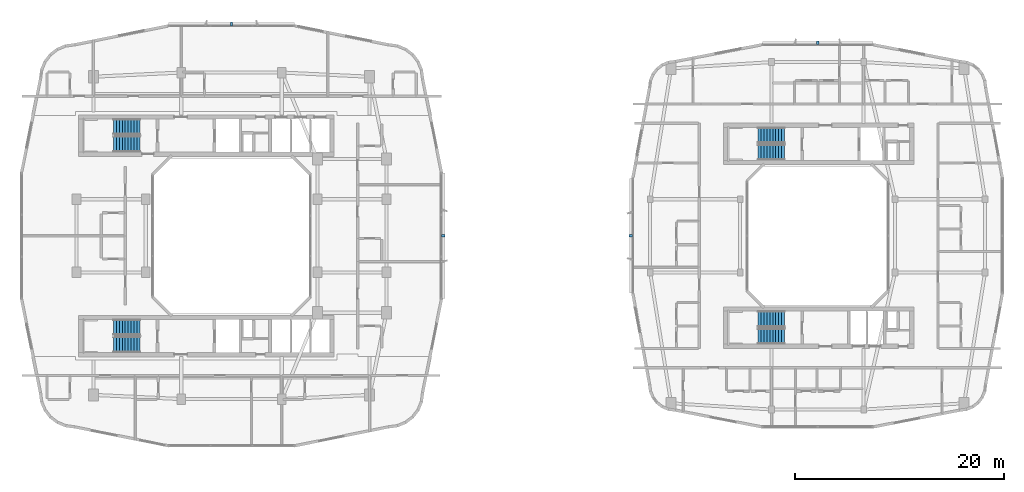
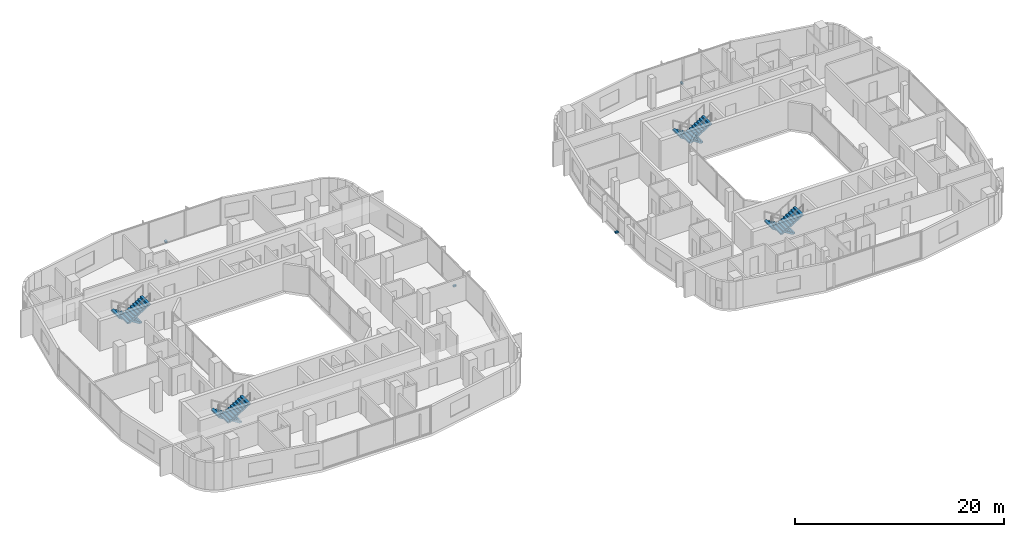
# One storey, part 21 of 26: 8 stair flights, 4 discrete accessories, 4 elements without a shape of their own.
"""IFC4 building model written with IfcOpenShell, lengths in metres."""

from ifc_helpers import new_model, si_unit, derived_unit, direction, frame, origin, origin_2d, place, context, subcontext, project, spatial, polyline, rectangle, outline, extrude, material, type_object, element, aggregate, save


model = new_model("IFC4")

# Units and contexts
model_context = context("Model", 3, precision=1e-05, world=origin(), true_north=direction((0.0, 1.0)))
body_context = subcontext(model_context, "Body", "Model", "MODEL_VIEW")
ifc_project = project(units=[si_unit("LENGTHUNIT", "METRE"), si_unit("AREAUNIT", "SQUARE_METRE"), si_unit("VOLUMEUNIT", "CUBIC_METRE"), si_unit("PLANEANGLEUNIT", "RADIAN"), si_unit("MASSUNIT", "GRAM", prefix="KILO"), derived_unit("THERMALTRANSMITTANCEUNIT", [(si_unit("POWERUNIT", "WATT"), 1), (si_unit("LENGTHUNIT", "METRE"), -2), (si_unit("THERMODYNAMICTEMPERATUREUNIT", "KELVIN"), -1)])], contexts=[model_context])

# Site, building, storey
site_placement = place(None, origin())
site = spatial("IfcSite", under=ifc_project, at=site_placement, CompositionType="ELEMENT")
building_placement = place(site_placement, origin())
building = spatial("IfcBuilding", under=site, at=building_placement, Name="Kivonza Crest Hotel", CompositionType="ELEMENT")
storey_placement = place(building_placement, frame((0.0, 0.0, 116.0)))
storey = spatial("IfcBuildingStorey", under=building, at=storey_placement, Name="L31", CompositionType="ELEMENT", Elevation=116.0)

# Stair, stair flights
ifc_material_1 = material(Name="Concrete C40/50", Category="concrete")
stair_type = type_object("IfcStairType", Name="ST-DL-20R", PredefinedType="HALF_TURN_STAIR", material=ifc_material_1)
stair_1_placement = place(storey_placement, origin())
stair_1 = element("IfcStair", 1, at=stair_1_placement, inside=storey, type_object=stair_type, Name="L31 Protected Exit Stair ST-T1-N", PredefinedType="HALF_TURN_STAIR")
stair_flight_type = type_object("IfcStairFlightType", Name="SFL-RC-10R", PredefinedType="STRAIGHT", material=ifc_material_1)
stair_flight_1_placement = place(storey_placement, frame((12.239990234375, 35.409912109375, 0.0), z_axis=(0.0, 0.0, 1.0), x_axis=(-1.0, 0.0, 0.0)))
stair_flight_1 = element("IfcStairFlight", 2, at=stair_flight_1_placement, type_object=stair_flight_type, Name="ST-T1-N flight 1", NumberOfRisers=10, NumberOfTreads=9, PredefinedType="STRAIGHT", RiserHeight=0.175, TreadLength=0.28, context=body_context, shape_type="SweptSolid", body=[
    extrude(outline(polyline([(0.0, 0.0), (0.0, 0.175048828125), (0.280029296875, 0.175048828125), (0.280029296875, 0.35009765625), (0.56005859375, 0.35009765625), (0.56005859375, 0.52490234375), (0.840087890625, 0.52490234375), (0.840087890625, 0.699951171875), (1.1201171875, 0.699951171875), (1.1201171875, 0.875), (1.39990234375, 0.875), (1.39990234375, 1.050048828125), (1.679931640625, 1.050048828125), (1.679931640625, 1.22509765625), (1.9599609375, 1.22509765625), (1.9599609375, 1.39990234375), (2.239990234375, 1.39990234375), (2.239990234375, 1.574951171875), (2.52001953125, 1.574951171875), (2.52001953125, 1.75), (2.52001953125, 1.398193359375), (0.28271484375, 0.0), (0.0, 0.0)])), frame((0.0, 0.75, 0.0), z_axis=(0.0, -1.0, 0.0), x_axis=(1.0, 0.0, 0.0)), (0.0, 0.0, 1.0), 1.5),
])
stair_flight_2_placement = place(storey_placement, frame((9.719970703125, 33.77001953125, 1.75), z_axis=(0.0, 0.0, 1.0), x_axis=(1.0, 0.0, 0.0)))
stair_flight_2 = element("IfcStairFlight", 3, at=stair_flight_2_placement, type_object=stair_flight_type, Name="ST-T1-N flight 2", NumberOfRisers=10, NumberOfTreads=9, PredefinedType="STRAIGHT", RiserHeight=0.175, TreadLength=0.28, context=body_context, shape_type="SweptSolid", body=[
    extrude(outline(polyline([(0.0, 0.0), (0.0, 0.175048828125), (0.280029296875, 0.175048828125), (0.280029296875, 0.35009765625), (0.56005859375, 0.35009765625), (0.56005859375, 0.52490234375), (0.840087890625, 0.52490234375), (0.840087890625, 0.699951171875), (1.1201171875, 0.699951171875), (1.1201171875, 0.875), (1.39990234375, 0.875), (1.39990234375, 1.050048828125), (1.679931640625, 1.050048828125), (1.679931640625, 1.22509765625), (1.9599609375, 1.22509765625), (1.9599609375, 1.39990234375), (2.239990234375, 1.39990234375), (2.239990234375, 1.574951171875), (2.52001953125, 1.574951171875), (2.52001953125, 1.75), (2.52001953125, 1.398193359375), (0.28271484375, 0.0), (0.0, 0.0)])), frame((0.0, 0.75, 0.0), z_axis=(0.0, -1.0, 0.0), x_axis=(1.0, 0.0, 0.0)), (0.0, 0.0, 1.0), 1.5),
])
aggregate(stair_1, [stair_flight_1, stair_flight_2])

stair_2_placement = place(storey_placement, origin())
stair_2 = element("IfcStair", 4, at=stair_2_placement, inside=storey, type_object=stair_type, Name="L31 Protected Exit Stair ST-T1-S", PredefinedType="HALF_TURN_STAIR")
stair_flight_3_placement = place(storey_placement, frame((12.239990234375, 16.25, 0.0), z_axis=(0.0, 0.0, 1.0), x_axis=(-1.0, 0.0, 0.0)))
stair_flight_3 = element("IfcStairFlight", 5, at=stair_flight_3_placement, type_object=stair_flight_type, Name="ST-T1-S flight 1", NumberOfRisers=10, NumberOfTreads=9, PredefinedType="STRAIGHT", RiserHeight=0.175, TreadLength=0.28, context=body_context, shape_type="SweptSolid", body=[
    extrude(outline(polyline([(0.0, 0.0), (0.0, 0.175048828125), (0.280029296875, 0.175048828125), (0.280029296875, 0.35009765625), (0.56005859375, 0.35009765625), (0.56005859375, 0.52490234375), (0.840087890625, 0.52490234375), (0.840087890625, 0.699951171875), (1.1201171875, 0.699951171875), (1.1201171875, 0.875), (1.39990234375, 0.875), (1.39990234375, 1.050048828125), (1.679931640625, 1.050048828125), (1.679931640625, 1.22509765625), (1.9599609375, 1.22509765625), (1.9599609375, 1.39990234375), (2.239990234375, 1.39990234375), (2.239990234375, 1.574951171875), (2.52001953125, 1.574951171875), (2.52001953125, 1.75), (2.52001953125, 1.398193359375), (0.28271484375, 0.0), (0.0, 0.0)])), frame((0.0, 0.75, 0.0), z_axis=(0.0, -1.0, 0.0), x_axis=(1.0, 0.0, 0.0)), (0.0, 0.0, 1.0), 1.5),
])
stair_flight_4_placement = place(storey_placement, frame((9.719970703125, 14.610107421875, 1.75), z_axis=(0.0, 0.0, 1.0), x_axis=(1.0, 0.0, 0.0)))
stair_flight_4 = element("IfcStairFlight", 6, at=stair_flight_4_placement, type_object=stair_flight_type, Name="ST-T1-S flight 2", NumberOfRisers=10, NumberOfTreads=9, PredefinedType="STRAIGHT", RiserHeight=0.175, TreadLength=0.28, context=body_context, shape_type="SweptSolid", body=[
    extrude(outline(polyline([(0.0, 0.0), (0.0, 0.175048828125), (0.280029296875, 0.175048828125), (0.280029296875, 0.35009765625), (0.56005859375, 0.35009765625), (0.56005859375, 0.52490234375), (0.840087890625, 0.52490234375), (0.840087890625, 0.699951171875), (1.1201171875, 0.699951171875), (1.1201171875, 0.875), (1.39990234375, 0.875), (1.39990234375, 1.050048828125), (1.679931640625, 1.050048828125), (1.679931640625, 1.22509765625), (1.9599609375, 1.22509765625), (1.9599609375, 1.39990234375), (2.239990234375, 1.39990234375), (2.239990234375, 1.574951171875), (2.52001953125, 1.574951171875), (2.52001953125, 1.75), (2.52001953125, 1.398193359375), (0.28271484375, 0.0), (0.0, 0.0)])), frame((0.0, 0.75, 0.0), z_axis=(0.0, -1.0, 0.0), x_axis=(1.0, 0.0, 0.0)), (0.0, 0.0, 1.0), 1.5),
])
aggregate(stair_2, [stair_flight_3, stair_flight_4])

stair_3_placement = place(storey_placement, origin())
stair_3 = element("IfcStair", 7, at=stair_3_placement, inside=storey, type_object=stair_type, Name="L31 Protected Exit Stair ST-T2-N", PredefinedType="HALF_TURN_STAIR")
stair_flight_5_placement = place(storey_placement, frame((73.840087890625, 34.610107421875, 0.0), z_axis=(0.0, 0.0, 1.0), x_axis=(-1.0, 0.0, 0.0)))
stair_flight_5 = element("IfcStairFlight", 8, at=stair_flight_5_placement, type_object=stair_flight_type, Name="ST-T2-N flight 1", NumberOfRisers=10, NumberOfTreads=9, PredefinedType="STRAIGHT", RiserHeight=0.175, TreadLength=0.28, context=body_context, shape_type="SweptSolid", body=[
    extrude(outline(polyline([(0.0, 0.0), (0.0, 0.175048828125), (0.280029296875, 0.175048828125), (0.280029296875, 0.35009765625), (0.56005859375, 0.35009765625), (0.56005859375, 0.52490234375), (0.840087890625, 0.52490234375), (0.840087890625, 0.699951171875), (1.1201171875, 0.699951171875), (1.1201171875, 0.875), (1.39990234375, 0.875), (1.39990234375, 1.050048828125), (1.679931640625, 1.050048828125), (1.679931640625, 1.22509765625), (1.9599609375, 1.22509765625), (1.9599609375, 1.39990234375), (2.239990234375, 1.39990234375), (2.239990234375, 1.574951171875), (2.52001953125, 1.574951171875), (2.52001953125, 1.75), (2.52001953125, 1.398193359375), (0.28271484375, 0.0), (0.0, 0.0)])), frame((0.0, 0.75, 0.0), z_axis=(0.0, -1.0, 0.0), x_axis=(1.0, 0.0, 0.0)), (0.0, 0.0, 1.0), 1.5),
])
stair_flight_6_placement = place(storey_placement, frame((71.320068359375, 32.969970703125, 1.75), z_axis=(0.0, 0.0, 1.0), x_axis=(1.0, 0.0, 0.0)))
stair_flight_6 = element("IfcStairFlight", 9, at=stair_flight_6_placement, type_object=stair_flight_type, Name="ST-T2-N flight 2", NumberOfRisers=10, NumberOfTreads=9, PredefinedType="STRAIGHT", RiserHeight=0.175, TreadLength=0.28, context=body_context, shape_type="SweptSolid", body=[
    extrude(outline(polyline([(0.0, 0.0), (0.0, 0.175048828125), (0.280029296875, 0.175048828125), (0.280029296875, 0.35009765625), (0.56005859375, 0.35009765625), (0.56005859375, 0.52490234375), (0.840087890625, 0.52490234375), (0.840087890625, 0.699951171875), (1.1201171875, 0.699951171875), (1.1201171875, 0.875), (1.39990234375, 0.875), (1.39990234375, 1.050048828125), (1.679931640625, 1.050048828125), (1.679931640625, 1.22509765625), (1.9599609375, 1.22509765625), (1.9599609375, 1.39990234375), (2.239990234375, 1.39990234375), (2.239990234375, 1.574951171875), (2.52001953125, 1.574951171875), (2.52001953125, 1.75), (2.52001953125, 1.398193359375), (0.28271484375, 0.0), (0.0, 0.0)])), frame((0.0, 0.75, 0.0), z_axis=(0.0, -1.0, 0.0), x_axis=(1.0, 0.0, 0.0)), (0.0, 0.0, 1.0), 1.5),
])
aggregate(stair_3, [stair_flight_5, stair_flight_6])

stair_4_placement = place(storey_placement, origin())
stair_4 = element("IfcStair", 10, at=stair_4_placement, inside=storey, type_object=stair_type, Name="L31 Protected Exit Stair ST-T2-S", PredefinedType="HALF_TURN_STAIR")
stair_flight_7_placement = place(storey_placement, frame((73.840087890625, 17.050048828125, 0.0), z_axis=(0.0, 0.0, 1.0), x_axis=(-1.0, 0.0, 0.0)))
stair_flight_7 = element("IfcStairFlight", 11, at=stair_flight_7_placement, type_object=stair_flight_type, Name="ST-T2-S flight 1", NumberOfRisers=10, NumberOfTreads=9, PredefinedType="STRAIGHT", RiserHeight=0.175, TreadLength=0.28, context=body_context, shape_type="SweptSolid", body=[
    extrude(outline(polyline([(0.0, 0.0), (0.0, 0.175048828125), (0.280029296875, 0.175048828125), (0.280029296875, 0.35009765625), (0.56005859375, 0.35009765625), (0.56005859375, 0.52490234375), (0.840087890625, 0.52490234375), (0.840087890625, 0.699951171875), (1.1201171875, 0.699951171875), (1.1201171875, 0.875), (1.39990234375, 0.875), (1.39990234375, 1.050048828125), (1.679931640625, 1.050048828125), (1.679931640625, 1.22509765625), (1.9599609375, 1.22509765625), (1.9599609375, 1.39990234375), (2.239990234375, 1.39990234375), (2.239990234375, 1.574951171875), (2.52001953125, 1.574951171875), (2.52001953125, 1.75), (2.52001953125, 1.398193359375), (0.28271484375, 0.0), (0.0, 0.0)])), frame((0.0, 0.75, 0.0), z_axis=(0.0, -1.0, 0.0), x_axis=(1.0, 0.0, 0.0)), (0.0, 0.0, 1.0), 1.5),
])
stair_flight_8_placement = place(storey_placement, frame((71.320068359375, 15.409912109375, 1.75), z_axis=(0.0, 0.0, 1.0), x_axis=(1.0, 0.0, 0.0)))
stair_flight_8 = element("IfcStairFlight", 12, at=stair_flight_8_placement, type_object=stair_flight_type, Name="ST-T2-S flight 2", NumberOfRisers=10, NumberOfTreads=9, PredefinedType="STRAIGHT", RiserHeight=0.175, TreadLength=0.28, context=body_context, shape_type="SweptSolid", body=[
    extrude(outline(polyline([(0.0, 0.0), (0.0, 0.175048828125), (0.280029296875, 0.175048828125), (0.280029296875, 0.35009765625), (0.56005859375, 0.35009765625), (0.56005859375, 0.52490234375), (0.840087890625, 0.52490234375), (0.840087890625, 0.699951171875), (1.1201171875, 0.699951171875), (1.1201171875, 0.875), (1.39990234375, 0.875), (1.39990234375, 1.050048828125), (1.679931640625, 1.050048828125), (1.679931640625, 1.22509765625), (1.9599609375, 1.22509765625), (1.9599609375, 1.39990234375), (2.239990234375, 1.39990234375), (2.239990234375, 1.574951171875), (2.52001953125, 1.574951171875), (2.52001953125, 1.75), (2.52001953125, 1.398193359375), (0.28271484375, 0.0), (0.0, 0.0)])), frame((0.0, 0.75, 0.0), z_axis=(0.0, -1.0, 0.0), x_axis=(1.0, 0.0, 0.0)), (0.0, 0.0, 1.0), 1.5),
])
aggregate(stair_4, [stair_flight_7, stair_flight_8])

# Discrete accessories
ifc_material_2 = material(Name="Stainless steel 316", Category="steel")
discrete_accessory_type = type_object("IfcDiscreteAccessoryType", Name="AC-BRACKET-240", PredefinedType="BRACKET", material=ifc_material_2)
for number, where, z_axis, x_axis, name in (
    (13, (41.239990234375, 25.0, -0.009765625), (0.0, 0.0, 1.0), (0.0, 1.0, 0.0), "L31 terracotta baguette support bracket CW-T1-L31-17"),
    (14, (21.0, 45.239990234375, -0.009765625), (0.0, 0.0, 1.0), (-1.0, 0.0, 0.0), "L31 terracotta baguette support bracket CW-T1-L31-26"),
    (15, (77.0, 43.43994140625, -0.009765625), (0.0, 0.0, 1.0), (-1.0, 0.0, 0.0), "L31 terracotta baguette support bracket CW-T2-L31-26"),
    (16, (59.159912109375, 25.0, -0.009765625), (0.0, 0.0, 1.0), (0.0, -1.0, 0.0), "L31 terracotta baguette support bracket CW-T2-L31-35"),
):
    element("IfcDiscreteAccessory", number, at=place(storey_placement, frame(where, z_axis=z_axis, x_axis=x_axis)), inside=storey, type_object=discrete_accessory_type, Name=name, PredefinedType="BRACKET", context=body_context, shape_type="SweptSolid", body=[
        extrude(rectangle(XDim=0.219970703125, YDim=0.340087890625, at=origin_2d()), origin(), (0.0, 0.0, 1.0), 0.179931640625),
    ])

save(model, "model.ifc")
